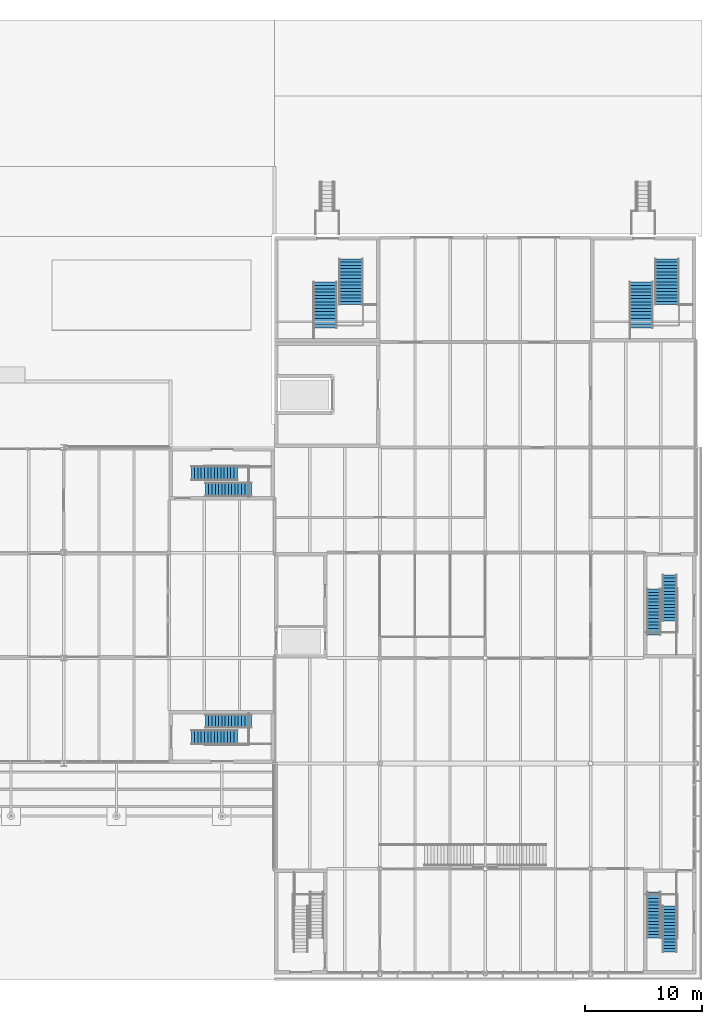
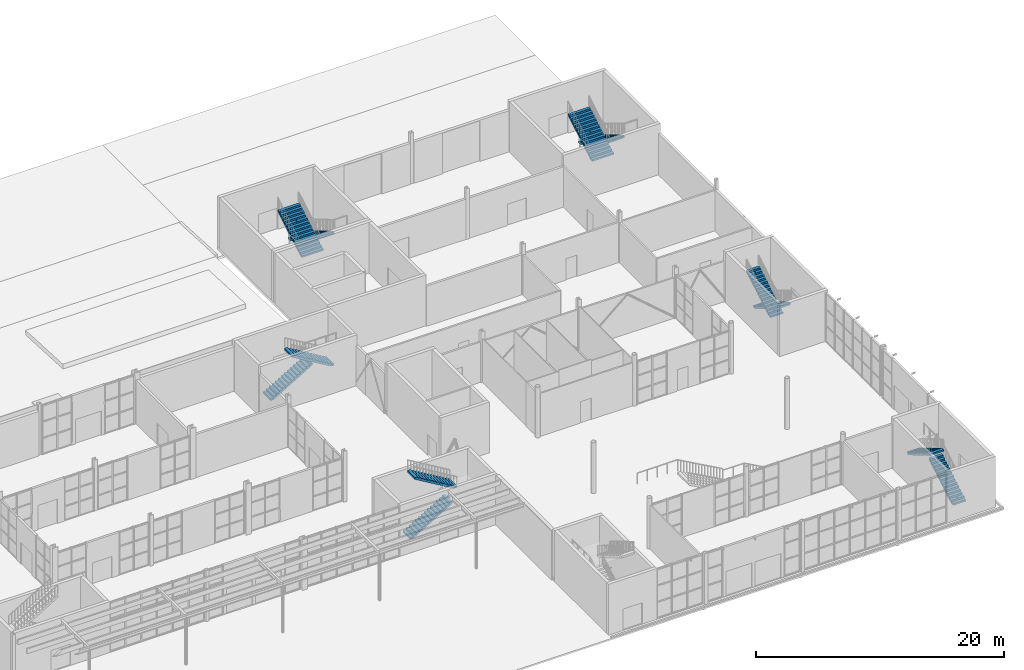
# One storey, part 42 of 63: 12 stair flights, 6 elements without a shape of their own.
"""IFC4 building model written with IfcOpenShell, lengths in metres."""

from ifc_helpers import new_model, si_unit, direction, frame, origin, place, context, subcontext, project, spatial, polyline, outline, extrude, material, type_object, element, aggregate, save


model = new_model("IFC4")

# Units and contexts
model_context = context("Model", 3, precision=1e-05, world=origin(), true_north=direction((0.0, 1.0)))
body_context = subcontext(model_context, "Body", "Model", "MODEL_VIEW")
ifc_project = project(units=[si_unit("LENGTHUNIT", "METRE"), si_unit("AREAUNIT", "SQUARE_METRE"), si_unit("VOLUMEUNIT", "CUBIC_METRE"), si_unit("PLANEANGLEUNIT", "RADIAN"), si_unit("MASSUNIT", "GRAM", prefix="KILO")], contexts=[model_context])

# Site, building, storey
site_placement = place(None, origin())
site = spatial("IfcSite", under=ifc_project, at=site_placement, CompositionType="ELEMENT")
building_placement = place(site_placement, origin())
building = spatial("IfcBuilding", under=site, at=building_placement, Name="Halyard Row Museum", CompositionType="ELEMENT")
storey_placement = place(building_placement, origin())
storey = spatial("IfcBuildingStorey", under=building, at=storey_placement, Name="L00", CompositionType="ELEMENT", Elevation=0.0)

# Stair, stair flights
ifc_material_1 = material(Name="Concrete 40 MPa", Category="concrete")
stair_type_1 = type_object("IfcStairType", Name="Exit stair two flights 1200", PredefinedType="HALF_TURN_STAIR", material=ifc_material_1)
stair_1_placement = place(storey_placement, origin())
stair_1 = element("IfcStair", 1, at=stair_1_placement, inside=storey, type_object=stair_type_1, Name="Exit stair K1B L00", PredefinedType="HALF_TURN_STAIR")
ifc_material_2 = material(Name="Concrete 40 MPa", Category="concrete")
stair_flight_type_1 = type_object("IfcStairFlightType", Name="Exit stair flight 1200", PredefinedType="STRAIGHT", material=ifc_material_2)
stair_flight_1_placement = place(storey_placement, frame((64.89990234375, 42.75, 0.0), z_axis=(0.0, 0.0, 1.0), x_axis=(1.0, 0.0, 0.0)))
stair_flight_1 = element("IfcStairFlight", 2, at=stair_flight_1_placement, type_object=stair_flight_type_1, Name="STK1B-L00 flight 1", NumberOfRisers=15, NumberOfTreads=14, PredefinedType="STRAIGHT", RiserHeight=0.166666667, TreadLength=0.28, context=body_context, shape_type="SweptSolid", body=[
    extrude(outline(polyline([(0.0, 0.0), (0.0, 0.166748046875), (0.280029296875, 0.166748046875), (0.280029296875, 0.333251953125), (0.56005859375, 0.333251953125), (0.56005859375, 0.5), (0.840087890625, 0.5), (0.840087890625, 0.666748046875), (1.1201171875, 0.666748046875), (1.1201171875, 0.833251953125), (1.39990234375, 0.833251953125), (1.39990234375, 1.0), (1.679931640625, 1.0), (1.679931640625, 1.166748046875), (1.9599609375, 1.166748046875), (1.9599609375, 1.333251953125), (2.239990234375, 1.333251953125), (2.239990234375, 1.5), (2.52001953125, 1.5), (2.52001953125, 1.666748046875), (2.800048828125, 1.666748046875), (2.800048828125, 1.833251953125), (3.080078125, 1.833251953125), (3.080078125, 2.0), (3.360107421875, 2.0), (3.360107421875, 2.166748046875), (3.639892578125, 2.166748046875), (3.639892578125, 2.333251953125), (3.919921875, 2.333251953125), (3.919921875, 2.5), (3.919921875, 2.158935546875), (0.29296875, 0.0), (0.0, 0.0)])), frame((0.0, 0.60009765625, 0.0), z_axis=(0.0, -1.0, 0.0), x_axis=(1.0, 0.0, 0.0)), (0.0, 0.0, 1.0), 0.59912109375),
    extrude(outline(polyline([(0.0, 0.0), (0.0, 0.166748046875), (0.280029296875, 0.166748046875), (0.280029296875, 0.333251953125), (0.56005859375, 0.333251953125), (0.56005859375, 0.5), (0.840087890625, 0.5), (0.840087890625, 0.666748046875), (1.1201171875, 0.666748046875), (1.1201171875, 0.833251953125), (1.39990234375, 0.833251953125), (1.39990234375, 1.0), (1.679931640625, 1.0), (1.679931640625, 1.166748046875), (1.9599609375, 1.166748046875), (1.9599609375, 1.333251953125), (2.239990234375, 1.333251953125), (2.239990234375, 1.5), (2.52001953125, 1.5), (2.52001953125, 1.666748046875), (2.800048828125, 1.666748046875), (2.800048828125, 1.833251953125), (3.080078125, 1.833251953125), (3.080078125, 2.0), (3.360107421875, 2.0), (3.360107421875, 2.166748046875), (3.639892578125, 2.166748046875), (3.639892578125, 2.333251953125), (3.919921875, 2.333251953125), (3.919921875, 2.5), (3.919921875, 2.158935546875), (0.29296875, 0.0), (0.0, 0.0)])), frame((0.0, -0.0009765625, 0.0), z_axis=(0.0, -1.0, 0.0), x_axis=(1.0, 0.0, 0.0)), (0.0, 0.0, 1.0), 0.59912109375),
])
stair_flight_2_placement = place(storey_placement, frame((70.02001953125, 41.39990234375, 2.5), z_axis=(0.0, 0.0, 1.0), x_axis=(-1.0, 0.0, 0.0)))
stair_flight_2 = element("IfcStairFlight", 3, at=stair_flight_2_placement, type_object=stair_flight_type_1, Name="STK1B-L00 flight 2", NumberOfRisers=15, NumberOfTreads=14, PredefinedType="STRAIGHT", RiserHeight=0.166666667, TreadLength=0.28, context=body_context, shape_type="SweptSolid", body=[
    extrude(outline(polyline([(0.0, 0.0), (0.0, 0.166748046875), (0.280029296875, 0.166748046875), (0.280029296875, 0.333251953125), (0.56005859375, 0.333251953125), (0.56005859375, 0.5), (0.840087890625, 0.5), (0.840087890625, 0.666748046875), (1.1201171875, 0.666748046875), (1.1201171875, 0.833251953125), (1.39990234375, 0.833251953125), (1.39990234375, 1.0), (1.679931640625, 1.0), (1.679931640625, 1.166748046875), (1.9599609375, 1.166748046875), (1.9599609375, 1.333251953125), (2.239990234375, 1.333251953125), (2.239990234375, 1.5), (2.52001953125, 1.5), (2.52001953125, 1.666748046875), (2.800048828125, 1.666748046875), (2.800048828125, 1.833251953125), (3.080078125, 1.833251953125), (3.080078125, 2.0), (3.360107421875, 2.0), (3.360107421875, 2.166748046875), (3.639892578125, 2.166748046875), (3.639892578125, 2.333251953125), (3.919921875, 2.333251953125), (3.919921875, 2.5), (3.919921875, 2.158935546875), (0.29296875, 0.0), (0.0, 0.0)])), frame((0.0, 0.60009765625, 0.0), z_axis=(0.0, -1.0, 0.0), x_axis=(1.0, 0.0, 0.0)), (0.0, 0.0, 1.0), 0.59912109375),
    extrude(outline(polyline([(0.0, 0.0), (0.0, 0.166748046875), (0.280029296875, 0.166748046875), (0.280029296875, 0.333251953125), (0.56005859375, 0.333251953125), (0.56005859375, 0.5), (0.840087890625, 0.5), (0.840087890625, 0.666748046875), (1.1201171875, 0.666748046875), (1.1201171875, 0.833251953125), (1.39990234375, 0.833251953125), (1.39990234375, 1.0), (1.679931640625, 1.0), (1.679931640625, 1.166748046875), (1.9599609375, 1.166748046875), (1.9599609375, 1.333251953125), (2.239990234375, 1.333251953125), (2.239990234375, 1.5), (2.52001953125, 1.5), (2.52001953125, 1.666748046875), (2.800048828125, 1.666748046875), (2.800048828125, 1.833251953125), (3.080078125, 1.833251953125), (3.080078125, 2.0), (3.360107421875, 2.0), (3.360107421875, 2.166748046875), (3.639892578125, 2.166748046875), (3.639892578125, 2.333251953125), (3.919921875, 2.333251953125), (3.919921875, 2.5), (3.919921875, 2.158935546875), (0.29296875, 0.0), (0.0, 0.0)])), frame((0.0, -0.0009765625, 0.0), z_axis=(0.0, -1.0, 0.0), x_axis=(1.0, 0.0, 0.0)), (0.0, 0.0, 1.0), 0.59912109375),
])
aggregate(stair_1, [stair_flight_1, stair_flight_2])

stair_2_placement = place(storey_placement, origin())
stair_2 = element("IfcStair", 4, at=stair_2_placement, inside=storey, type_object=stair_type_1, Name="Exit stair K1C L00", PredefinedType="HALF_TURN_STAIR")
stair_flight_3_placement = place(storey_placement, frame((64.89990234375, 20.25, 0.0), z_axis=(0.0, 0.0, 1.0), x_axis=(1.0, 0.0, 0.0)))
stair_flight_3 = element("IfcStairFlight", 5, at=stair_flight_3_placement, type_object=stair_flight_type_1, Name="STK1C-L00 flight 1", NumberOfRisers=15, NumberOfTreads=14, PredefinedType="STRAIGHT", RiserHeight=0.166666667, TreadLength=0.28, context=body_context, shape_type="SweptSolid", body=[
    extrude(outline(polyline([(0.0, 0.0), (0.0, 0.166748046875), (0.280029296875, 0.166748046875), (0.280029296875, 0.333251953125), (0.56005859375, 0.333251953125), (0.56005859375, 0.5), (0.840087890625, 0.5), (0.840087890625, 0.666748046875), (1.1201171875, 0.666748046875), (1.1201171875, 0.833251953125), (1.39990234375, 0.833251953125), (1.39990234375, 1.0), (1.679931640625, 1.0), (1.679931640625, 1.166748046875), (1.9599609375, 1.166748046875), (1.9599609375, 1.333251953125), (2.239990234375, 1.333251953125), (2.239990234375, 1.5), (2.52001953125, 1.5), (2.52001953125, 1.666748046875), (2.800048828125, 1.666748046875), (2.800048828125, 1.833251953125), (3.080078125, 1.833251953125), (3.080078125, 2.0), (3.360107421875, 2.0), (3.360107421875, 2.166748046875), (3.639892578125, 2.166748046875), (3.639892578125, 2.333251953125), (3.919921875, 2.333251953125), (3.919921875, 2.5), (3.919921875, 2.158935546875), (0.29296875, 0.0), (0.0, 0.0)])), frame((0.0, 0.60009765625, 0.0), z_axis=(0.0, -1.0, 0.0), x_axis=(1.0, 0.0, 0.0)), (0.0, 0.0, 1.0), 0.59912109375),
    extrude(outline(polyline([(0.0, 0.0), (0.0, 0.166748046875), (0.280029296875, 0.166748046875), (0.280029296875, 0.333251953125), (0.56005859375, 0.333251953125), (0.56005859375, 0.5), (0.840087890625, 0.5), (0.840087890625, 0.666748046875), (1.1201171875, 0.666748046875), (1.1201171875, 0.833251953125), (1.39990234375, 0.833251953125), (1.39990234375, 1.0), (1.679931640625, 1.0), (1.679931640625, 1.166748046875), (1.9599609375, 1.166748046875), (1.9599609375, 1.333251953125), (2.239990234375, 1.333251953125), (2.239990234375, 1.5), (2.52001953125, 1.5), (2.52001953125, 1.666748046875), (2.800048828125, 1.666748046875), (2.800048828125, 1.833251953125), (3.080078125, 1.833251953125), (3.080078125, 2.0), (3.360107421875, 2.0), (3.360107421875, 2.166748046875), (3.639892578125, 2.166748046875), (3.639892578125, 2.333251953125), (3.919921875, 2.333251953125), (3.919921875, 2.5), (3.919921875, 2.158935546875), (0.29296875, 0.0), (0.0, 0.0)])), frame((0.0, -0.0009765625, 0.0), z_axis=(0.0, -1.0, 0.0), x_axis=(1.0, 0.0, 0.0)), (0.0, 0.0, 1.0), 0.59912109375),
])
stair_flight_4_placement = place(storey_placement, frame((70.02001953125, 21.60009765625, 2.5), z_axis=(0.0, 0.0, 1.0), x_axis=(-1.0, 0.0, 0.0)))
stair_flight_4 = element("IfcStairFlight", 6, at=stair_flight_4_placement, type_object=stair_flight_type_1, Name="STK1C-L00 flight 2", NumberOfRisers=15, NumberOfTreads=14, PredefinedType="STRAIGHT", RiserHeight=0.166666667, TreadLength=0.28, context=body_context, shape_type="SweptSolid", body=[
    extrude(outline(polyline([(0.0, 0.0), (0.0, 0.166748046875), (0.280029296875, 0.166748046875), (0.280029296875, 0.333251953125), (0.56005859375, 0.333251953125), (0.56005859375, 0.5), (0.840087890625, 0.5), (0.840087890625, 0.666748046875), (1.1201171875, 0.666748046875), (1.1201171875, 0.833251953125), (1.39990234375, 0.833251953125), (1.39990234375, 1.0), (1.679931640625, 1.0), (1.679931640625, 1.166748046875), (1.9599609375, 1.166748046875), (1.9599609375, 1.333251953125), (2.239990234375, 1.333251953125), (2.239990234375, 1.5), (2.52001953125, 1.5), (2.52001953125, 1.666748046875), (2.800048828125, 1.666748046875), (2.800048828125, 1.833251953125), (3.080078125, 1.833251953125), (3.080078125, 2.0), (3.360107421875, 2.0), (3.360107421875, 2.166748046875), (3.639892578125, 2.166748046875), (3.639892578125, 2.333251953125), (3.919921875, 2.333251953125), (3.919921875, 2.5), (3.919921875, 2.158935546875), (0.29296875, 0.0), (0.0, 0.0)])), frame((0.0, 0.60009765625, 0.0), z_axis=(0.0, -1.0, 0.0), x_axis=(1.0, 0.0, 0.0)), (0.0, 0.0, 1.0), 0.59912109375),
    extrude(outline(polyline([(0.0, 0.0), (0.0, 0.166748046875), (0.280029296875, 0.166748046875), (0.280029296875, 0.333251953125), (0.56005859375, 0.333251953125), (0.56005859375, 0.5), (0.840087890625, 0.5), (0.840087890625, 0.666748046875), (1.1201171875, 0.666748046875), (1.1201171875, 0.833251953125), (1.39990234375, 0.833251953125), (1.39990234375, 1.0), (1.679931640625, 1.0), (1.679931640625, 1.166748046875), (1.9599609375, 1.166748046875), (1.9599609375, 1.333251953125), (2.239990234375, 1.333251953125), (2.239990234375, 1.5), (2.52001953125, 1.5), (2.52001953125, 1.666748046875), (2.800048828125, 1.666748046875), (2.800048828125, 1.833251953125), (3.080078125, 1.833251953125), (3.080078125, 2.0), (3.360107421875, 2.0), (3.360107421875, 2.166748046875), (3.639892578125, 2.166748046875), (3.639892578125, 2.333251953125), (3.919921875, 2.333251953125), (3.919921875, 2.5), (3.919921875, 2.158935546875), (0.29296875, 0.0), (0.0, 0.0)])), frame((0.0, -0.0009765625, 0.0), z_axis=(0.0, -1.0, 0.0), x_axis=(1.0, 0.0, 0.0)), (0.0, 0.0, 1.0), 0.59912109375),
])
aggregate(stair_2, [stair_flight_3, stair_flight_4])

stair_3_placement = place(storey_placement, origin())
stair_3 = element("IfcStair", 7, at=stair_3_placement, inside=storey, type_object=stair_type_1, Name="Exit stair K2B L00", PredefinedType="HALF_TURN_STAIR")
stair_flight_5_placement = place(storey_placement, frame((105.75, 1.89990234375, 0.0), z_axis=(0.0, 0.0, 1.0), x_axis=(0.0, 1.0, 0.0)))
stair_flight_5 = element("IfcStairFlight", 8, at=stair_flight_5_placement, type_object=stair_flight_type_1, Name="STK2B-L00 flight 1", NumberOfRisers=15, NumberOfTreads=14, PredefinedType="STRAIGHT", RiserHeight=0.166666667, TreadLength=0.28, context=body_context, shape_type="SweptSolid", body=[
    extrude(outline(polyline([(0.0, 0.0), (0.0, 0.166748046875), (0.280029296875, 0.166748046875), (0.280029296875, 0.333251953125), (0.56005859375, 0.333251953125), (0.56005859375, 0.5), (0.840087890625, 0.5), (0.840087890625, 0.666748046875), (1.1201171875, 0.666748046875), (1.1201171875, 0.833251953125), (1.39990234375, 0.833251953125), (1.39990234375, 1.0), (1.679931640625, 1.0), (1.679931640625, 1.166748046875), (1.9599609375, 1.166748046875), (1.9599609375, 1.333251953125), (2.239990234375, 1.333251953125), (2.239990234375, 1.5), (2.52001953125, 1.5), (2.52001953125, 1.666748046875), (2.800048828125, 1.666748046875), (2.800048828125, 1.833251953125), (3.080078125, 1.833251953125), (3.080078125, 2.0), (3.360107421875, 2.0), (3.360107421875, 2.166748046875), (3.639892578125, 2.166748046875), (3.639892578125, 2.333251953125), (3.919921875, 2.333251953125), (3.919921875, 2.5), (3.919921875, 2.158935546875), (0.29296875, 0.0), (0.0, 0.0)])), frame((0.0, 0.60009765625, 0.0), z_axis=(0.0, -1.0, 0.0), x_axis=(1.0, 0.0, 0.0)), (0.0, 0.0, 1.0), 0.59912109375),
    extrude(outline(polyline([(0.0, 0.0), (0.0, 0.166748046875), (0.280029296875, 0.166748046875), (0.280029296875, 0.333251953125), (0.56005859375, 0.333251953125), (0.56005859375, 0.5), (0.840087890625, 0.5), (0.840087890625, 0.666748046875), (1.1201171875, 0.666748046875), (1.1201171875, 0.833251953125), (1.39990234375, 0.833251953125), (1.39990234375, 1.0), (1.679931640625, 1.0), (1.679931640625, 1.166748046875), (1.9599609375, 1.166748046875), (1.9599609375, 1.333251953125), (2.239990234375, 1.333251953125), (2.239990234375, 1.5), (2.52001953125, 1.5), (2.52001953125, 1.666748046875), (2.800048828125, 1.666748046875), (2.800048828125, 1.833251953125), (3.080078125, 1.833251953125), (3.080078125, 2.0), (3.360107421875, 2.0), (3.360107421875, 2.166748046875), (3.639892578125, 2.166748046875), (3.639892578125, 2.333251953125), (3.919921875, 2.333251953125), (3.919921875, 2.5), (3.919921875, 2.158935546875), (0.29296875, 0.0), (0.0, 0.0)])), frame((0.0, -0.0009765625, 0.0), z_axis=(0.0, -1.0, 0.0), x_axis=(1.0, 0.0, 0.0)), (0.0, 0.0, 1.0), 0.59912109375),
])
stair_flight_6_placement = place(storey_placement, frame((104.39990234375, 7.02001953125, 2.5), z_axis=(0.0, 0.0, 1.0), x_axis=(0.0, -1.0, 0.0)))
stair_flight_6 = element("IfcStairFlight", 9, at=stair_flight_6_placement, type_object=stair_flight_type_1, Name="STK2B-L00 flight 2", NumberOfRisers=15, NumberOfTreads=14, PredefinedType="STRAIGHT", RiserHeight=0.166666667, TreadLength=0.28, context=body_context, shape_type="SweptSolid", body=[
    extrude(outline(polyline([(0.0, 0.0), (0.0, 0.166748046875), (0.280029296875, 0.166748046875), (0.280029296875, 0.333251953125), (0.56005859375, 0.333251953125), (0.56005859375, 0.5), (0.840087890625, 0.5), (0.840087890625, 0.666748046875), (1.1201171875, 0.666748046875), (1.1201171875, 0.833251953125), (1.39990234375, 0.833251953125), (1.39990234375, 1.0), (1.679931640625, 1.0), (1.679931640625, 1.166748046875), (1.9599609375, 1.166748046875), (1.9599609375, 1.333251953125), (2.239990234375, 1.333251953125), (2.239990234375, 1.5), (2.52001953125, 1.5), (2.52001953125, 1.666748046875), (2.800048828125, 1.666748046875), (2.800048828125, 1.833251953125), (3.080078125, 1.833251953125), (3.080078125, 2.0), (3.360107421875, 2.0), (3.360107421875, 2.166748046875), (3.639892578125, 2.166748046875), (3.639892578125, 2.333251953125), (3.919921875, 2.333251953125), (3.919921875, 2.5), (3.919921875, 2.158935546875), (0.29296875, 0.0), (0.0, 0.0)])), frame((0.0, 0.60009765625, 0.0), z_axis=(0.0, -1.0, 0.0), x_axis=(1.0, 0.0, 0.0)), (0.0, 0.0, 1.0), 0.59912109375),
    extrude(outline(polyline([(0.0, 0.0), (0.0, 0.166748046875), (0.280029296875, 0.166748046875), (0.280029296875, 0.333251953125), (0.56005859375, 0.333251953125), (0.56005859375, 0.5), (0.840087890625, 0.5), (0.840087890625, 0.666748046875), (1.1201171875, 0.666748046875), (1.1201171875, 0.833251953125), (1.39990234375, 0.833251953125), (1.39990234375, 1.0), (1.679931640625, 1.0), (1.679931640625, 1.166748046875), (1.9599609375, 1.166748046875), (1.9599609375, 1.333251953125), (2.239990234375, 1.333251953125), (2.239990234375, 1.5), (2.52001953125, 1.5), (2.52001953125, 1.666748046875), (2.800048828125, 1.666748046875), (2.800048828125, 1.833251953125), (3.080078125, 1.833251953125), (3.080078125, 2.0), (3.360107421875, 2.0), (3.360107421875, 2.166748046875), (3.639892578125, 2.166748046875), (3.639892578125, 2.333251953125), (3.919921875, 2.333251953125), (3.919921875, 2.5), (3.919921875, 2.158935546875), (0.29296875, 0.0), (0.0, 0.0)])), frame((0.0, -0.0009765625, 0.0), z_axis=(0.0, -1.0, 0.0), x_axis=(1.0, 0.0, 0.0)), (0.0, 0.0, 1.0), 0.59912109375),
])
aggregate(stair_3, [stair_flight_5, stair_flight_6])

stair_4_placement = place(storey_placement, origin())
stair_4 = element("IfcStair", 10, at=stair_4_placement, inside=storey, type_object=stair_type_1, Name="Exit stair K2C L00", PredefinedType="HALF_TURN_STAIR")
stair_flight_7_placement = place(storey_placement, frame((105.75, 34.10009765625, 0.0), z_axis=(0.0, 0.0, 1.0), x_axis=(0.0, -1.0, 0.0)))
stair_flight_7 = element("IfcStairFlight", 11, at=stair_flight_7_placement, type_object=stair_flight_type_1, Name="STK2C-L00 flight 1", NumberOfRisers=15, NumberOfTreads=14, PredefinedType="STRAIGHT", RiserHeight=0.166666667, TreadLength=0.28, context=body_context, shape_type="SweptSolid", body=[
    extrude(outline(polyline([(0.0, 0.0), (0.0, 0.166748046875), (0.280029296875, 0.166748046875), (0.280029296875, 0.333251953125), (0.56005859375, 0.333251953125), (0.56005859375, 0.5), (0.840087890625, 0.5), (0.840087890625, 0.666748046875), (1.1201171875, 0.666748046875), (1.1201171875, 0.833251953125), (1.39990234375, 0.833251953125), (1.39990234375, 1.0), (1.679931640625, 1.0), (1.679931640625, 1.166748046875), (1.9599609375, 1.166748046875), (1.9599609375, 1.333251953125), (2.239990234375, 1.333251953125), (2.239990234375, 1.5), (2.52001953125, 1.5), (2.52001953125, 1.666748046875), (2.800048828125, 1.666748046875), (2.800048828125, 1.833251953125), (3.080078125, 1.833251953125), (3.080078125, 2.0), (3.360107421875, 2.0), (3.360107421875, 2.166748046875), (3.639892578125, 2.166748046875), (3.639892578125, 2.333251953125), (3.919921875, 2.333251953125), (3.919921875, 2.5), (3.919921875, 2.158935546875), (0.29296875, 0.0), (0.0, 0.0)])), frame((0.0, 0.60009765625, 0.0), z_axis=(0.0, -1.0, 0.0), x_axis=(1.0, 0.0, 0.0)), (0.0, 0.0, 1.0), 0.59912109375),
    extrude(outline(polyline([(0.0, 0.0), (0.0, 0.166748046875), (0.280029296875, 0.166748046875), (0.280029296875, 0.333251953125), (0.56005859375, 0.333251953125), (0.56005859375, 0.5), (0.840087890625, 0.5), (0.840087890625, 0.666748046875), (1.1201171875, 0.666748046875), (1.1201171875, 0.833251953125), (1.39990234375, 0.833251953125), (1.39990234375, 1.0), (1.679931640625, 1.0), (1.679931640625, 1.166748046875), (1.9599609375, 1.166748046875), (1.9599609375, 1.333251953125), (2.239990234375, 1.333251953125), (2.239990234375, 1.5), (2.52001953125, 1.5), (2.52001953125, 1.666748046875), (2.800048828125, 1.666748046875), (2.800048828125, 1.833251953125), (3.080078125, 1.833251953125), (3.080078125, 2.0), (3.360107421875, 2.0), (3.360107421875, 2.166748046875), (3.639892578125, 2.166748046875), (3.639892578125, 2.333251953125), (3.919921875, 2.333251953125), (3.919921875, 2.5), (3.919921875, 2.158935546875), (0.29296875, 0.0), (0.0, 0.0)])), frame((0.0, -0.0009765625, 0.0), z_axis=(0.0, -1.0, 0.0), x_axis=(1.0, 0.0, 0.0)), (0.0, 0.0, 1.0), 0.59912109375),
])
stair_flight_8_placement = place(storey_placement, frame((104.39990234375, 28.97998046875, 2.5), z_axis=(0.0, 0.0, 1.0), x_axis=(0.0, 1.0, 0.0)))
stair_flight_8 = element("IfcStairFlight", 12, at=stair_flight_8_placement, type_object=stair_flight_type_1, Name="STK2C-L00 flight 2", NumberOfRisers=15, NumberOfTreads=14, PredefinedType="STRAIGHT", RiserHeight=0.166666667, TreadLength=0.28, context=body_context, shape_type="SweptSolid", body=[
    extrude(outline(polyline([(0.0, 0.0), (0.0, 0.166748046875), (0.280029296875, 0.166748046875), (0.280029296875, 0.333251953125), (0.56005859375, 0.333251953125), (0.56005859375, 0.5), (0.840087890625, 0.5), (0.840087890625, 0.666748046875), (1.1201171875, 0.666748046875), (1.1201171875, 0.833251953125), (1.39990234375, 0.833251953125), (1.39990234375, 1.0), (1.679931640625, 1.0), (1.679931640625, 1.166748046875), (1.9599609375, 1.166748046875), (1.9599609375, 1.333251953125), (2.239990234375, 1.333251953125), (2.239990234375, 1.5), (2.52001953125, 1.5), (2.52001953125, 1.666748046875), (2.800048828125, 1.666748046875), (2.800048828125, 1.833251953125), (3.080078125, 1.833251953125), (3.080078125, 2.0), (3.360107421875, 2.0), (3.360107421875, 2.166748046875), (3.639892578125, 2.166748046875), (3.639892578125, 2.333251953125), (3.919921875, 2.333251953125), (3.919921875, 2.5), (3.919921875, 2.158935546875), (0.29296875, 0.0), (0.0, 0.0)])), frame((0.0, 0.60009765625, 0.0), z_axis=(0.0, -1.0, 0.0), x_axis=(1.0, 0.0, 0.0)), (0.0, 0.0, 1.0), 0.59912109375),
    extrude(outline(polyline([(0.0, 0.0), (0.0, 0.166748046875), (0.280029296875, 0.166748046875), (0.280029296875, 0.333251953125), (0.56005859375, 0.333251953125), (0.56005859375, 0.5), (0.840087890625, 0.5), (0.840087890625, 0.666748046875), (1.1201171875, 0.666748046875), (1.1201171875, 0.833251953125), (1.39990234375, 0.833251953125), (1.39990234375, 1.0), (1.679931640625, 1.0), (1.679931640625, 1.166748046875), (1.9599609375, 1.166748046875), (1.9599609375, 1.333251953125), (2.239990234375, 1.333251953125), (2.239990234375, 1.5), (2.52001953125, 1.5), (2.52001953125, 1.666748046875), (2.800048828125, 1.666748046875), (2.800048828125, 1.833251953125), (3.080078125, 1.833251953125), (3.080078125, 2.0), (3.360107421875, 2.0), (3.360107421875, 2.166748046875), (3.639892578125, 2.166748046875), (3.639892578125, 2.333251953125), (3.919921875, 2.333251953125), (3.919921875, 2.5), (3.919921875, 2.158935546875), (0.29296875, 0.0), (0.0, 0.0)])), frame((0.0, -0.0009765625, 0.0), z_axis=(0.0, -1.0, 0.0), x_axis=(1.0, 0.0, 0.0)), (0.0, 0.0, 1.0), 0.59912109375),
])
aggregate(stair_4, [stair_flight_7, stair_flight_8])

ifc_material_3 = material(Name="Concrete 40 MPa", Category="concrete")
stair_type_2 = type_object("IfcStairType", Name="Exit stair two flights 2000", PredefinedType="HALF_TURN_STAIR", material=ifc_material_3)
stair_5_placement = place(storey_placement, origin())
stair_5 = element("IfcStair", 13, at=stair_5_placement, inside=storey, type_object=stair_type_2, Name="Exit stair K5A L00", PredefinedType="HALF_TURN_STAIR")
ifc_material_4 = material(Name="Concrete 40 MPa", Category="concrete")
stair_flight_type_2 = type_object("IfcStairFlightType", Name="Exit stair flight 2000", PredefinedType="STRAIGHT", material=ifc_material_4)
stair_flight_9_placement = place(storey_placement, frame((78.5, 61.10009765625, 0.0), z_axis=(0.0, 0.0, 1.0), x_axis=(0.0, -1.0, 0.0)))
stair_flight_9 = element("IfcStairFlight", 14, at=stair_flight_9_placement, type_object=stair_flight_type_2, Name="STK5A-L00 flight 1", NumberOfRisers=15, NumberOfTreads=14, PredefinedType="STRAIGHT", RiserHeight=0.166666667, TreadLength=0.28, context=body_context, shape_type="SweptSolid", body=[
    extrude(outline(polyline([(0.0, 0.0), (0.0, 0.166748046875), (0.280029296875, 0.166748046875), (0.280029296875, 0.333251953125), (0.56005859375, 0.333251953125), (0.56005859375, 0.5), (0.840087890625, 0.5), (0.840087890625, 0.666748046875), (1.1201171875, 0.666748046875), (1.1201171875, 0.833251953125), (1.39990234375, 0.833251953125), (1.39990234375, 1.0), (1.679931640625, 1.0), (1.679931640625, 1.166748046875), (1.9599609375, 1.166748046875), (1.9599609375, 1.333251953125), (2.239990234375, 1.333251953125), (2.239990234375, 1.5), (2.52001953125, 1.5), (2.52001953125, 1.666748046875), (2.800048828125, 1.666748046875), (2.800048828125, 1.833251953125), (3.080078125, 1.833251953125), (3.080078125, 2.0), (3.360107421875, 2.0), (3.360107421875, 2.166748046875), (3.639892578125, 2.166748046875), (3.639892578125, 2.333251953125), (3.919921875, 2.333251953125), (3.919921875, 2.5), (3.919921875, 2.158935546875), (0.29296875, 0.0), (0.0, 0.0)])), frame((0.0, 1.0, 0.0), z_axis=(0.0, -1.0, 0.0), x_axis=(1.0, 0.0, 0.0)), (0.0, 0.0, 1.0), 0.9990234375),
    extrude(outline(polyline([(0.0, 0.0), (0.0, 0.166748046875), (0.280029296875, 0.166748046875), (0.280029296875, 0.333251953125), (0.56005859375, 0.333251953125), (0.56005859375, 0.5), (0.840087890625, 0.5), (0.840087890625, 0.666748046875), (1.1201171875, 0.666748046875), (1.1201171875, 0.833251953125), (1.39990234375, 0.833251953125), (1.39990234375, 1.0), (1.679931640625, 1.0), (1.679931640625, 1.166748046875), (1.9599609375, 1.166748046875), (1.9599609375, 1.333251953125), (2.239990234375, 1.333251953125), (2.239990234375, 1.5), (2.52001953125, 1.5), (2.52001953125, 1.666748046875), (2.800048828125, 1.666748046875), (2.800048828125, 1.833251953125), (3.080078125, 1.833251953125), (3.080078125, 2.0), (3.360107421875, 2.0), (3.360107421875, 2.166748046875), (3.639892578125, 2.166748046875), (3.639892578125, 2.333251953125), (3.919921875, 2.333251953125), (3.919921875, 2.5), (3.919921875, 2.158935546875), (0.29296875, 0.0), (0.0, 0.0)])), frame((0.0, -0.0009765625, 0.0), z_axis=(0.0, -1.0, 0.0), x_axis=(1.0, 0.0, 0.0)), (0.0, 0.0, 1.0), 0.9990234375),
])
stair_flight_10_placement = place(storey_placement, frame((76.35009765625, 55.179931640625, 2.5), z_axis=(0.0, 0.0, 1.0), x_axis=(0.0, 1.0, 0.0)))
stair_flight_10 = element("IfcStairFlight", 15, at=stair_flight_10_placement, type_object=stair_flight_type_2, Name="STK5A-L00 flight 2", NumberOfRisers=15, NumberOfTreads=14, PredefinedType="STRAIGHT", RiserHeight=0.166666667, TreadLength=0.28, context=body_context, shape_type="SweptSolid", body=[
    extrude(outline(polyline([(0.0, 0.0), (0.0, 0.166748046875), (0.280029296875, 0.166748046875), (0.280029296875, 0.333251953125), (0.56005859375, 0.333251953125), (0.56005859375, 0.5), (0.840087890625, 0.5), (0.840087890625, 0.666748046875), (1.1201171875, 0.666748046875), (1.1201171875, 0.833251953125), (1.39990234375, 0.833251953125), (1.39990234375, 1.0), (1.679931640625, 1.0), (1.679931640625, 1.166748046875), (1.9599609375, 1.166748046875), (1.9599609375, 1.333251953125), (2.239990234375, 1.333251953125), (2.239990234375, 1.5), (2.52001953125, 1.5), (2.52001953125, 1.666748046875), (2.800048828125, 1.666748046875), (2.800048828125, 1.833251953125), (3.080078125, 1.833251953125), (3.080078125, 2.0), (3.360107421875, 2.0), (3.360107421875, 2.166748046875), (3.639892578125, 2.166748046875), (3.639892578125, 2.333251953125), (3.919921875, 2.333251953125), (3.919921875, 2.5), (3.919921875, 2.158935546875), (0.29296875, 0.0), (0.0, 0.0)])), frame((0.0, 1.0, 0.0), z_axis=(0.0, -1.0, 0.0), x_axis=(1.0, 0.0, 0.0)), (0.0, 0.0, 1.0), 0.9990234375),
    extrude(outline(polyline([(0.0, 0.0), (0.0, 0.166748046875), (0.280029296875, 0.166748046875), (0.280029296875, 0.333251953125), (0.56005859375, 0.333251953125), (0.56005859375, 0.5), (0.840087890625, 0.5), (0.840087890625, 0.666748046875), (1.1201171875, 0.666748046875), (1.1201171875, 0.833251953125), (1.39990234375, 0.833251953125), (1.39990234375, 1.0), (1.679931640625, 1.0), (1.679931640625, 1.166748046875), (1.9599609375, 1.166748046875), (1.9599609375, 1.333251953125), (2.239990234375, 1.333251953125), (2.239990234375, 1.5), (2.52001953125, 1.5), (2.52001953125, 1.666748046875), (2.800048828125, 1.666748046875), (2.800048828125, 1.833251953125), (3.080078125, 1.833251953125), (3.080078125, 2.0), (3.360107421875, 2.0), (3.360107421875, 2.166748046875), (3.639892578125, 2.166748046875), (3.639892578125, 2.333251953125), (3.919921875, 2.333251953125), (3.919921875, 2.5), (3.919921875, 2.158935546875), (0.29296875, 0.0), (0.0, 0.0)])), frame((0.0, -0.0009765625, 0.0), z_axis=(0.0, -1.0, 0.0), x_axis=(1.0, 0.0, 0.0)), (0.0, 0.0, 1.0), 0.9990234375),
])
aggregate(stair_5, [stair_flight_9, stair_flight_10])

stair_6_placement = place(storey_placement, origin())
stair_6 = element("IfcStair", 16, at=stair_6_placement, inside=storey, type_object=stair_type_2, Name="Exit stair K5B L00", PredefinedType="HALF_TURN_STAIR")
stair_flight_11_placement = place(storey_placement, frame((105.5, 61.10009765625, 0.0), z_axis=(0.0, 0.0, 1.0), x_axis=(0.0, -1.0, 0.0)))
stair_flight_11 = element("IfcStairFlight", 17, at=stair_flight_11_placement, type_object=stair_flight_type_2, Name="STK5B-L00 flight 1", NumberOfRisers=15, NumberOfTreads=14, PredefinedType="STRAIGHT", RiserHeight=0.166666667, TreadLength=0.28, context=body_context, shape_type="SweptSolid", body=[
    extrude(outline(polyline([(0.0, 0.0), (0.0, 0.166748046875), (0.280029296875, 0.166748046875), (0.280029296875, 0.333251953125), (0.56005859375, 0.333251953125), (0.56005859375, 0.5), (0.840087890625, 0.5), (0.840087890625, 0.666748046875), (1.1201171875, 0.666748046875), (1.1201171875, 0.833251953125), (1.39990234375, 0.833251953125), (1.39990234375, 1.0), (1.679931640625, 1.0), (1.679931640625, 1.166748046875), (1.9599609375, 1.166748046875), (1.9599609375, 1.333251953125), (2.239990234375, 1.333251953125), (2.239990234375, 1.5), (2.52001953125, 1.5), (2.52001953125, 1.666748046875), (2.800048828125, 1.666748046875), (2.800048828125, 1.833251953125), (3.080078125, 1.833251953125), (3.080078125, 2.0), (3.360107421875, 2.0), (3.360107421875, 2.166748046875), (3.639892578125, 2.166748046875), (3.639892578125, 2.333251953125), (3.919921875, 2.333251953125), (3.919921875, 2.5), (3.919921875, 2.158935546875), (0.29296875, 0.0), (0.0, 0.0)])), frame((0.0, 1.0, 0.0), z_axis=(0.0, -1.0, 0.0), x_axis=(1.0, 0.0, 0.0)), (0.0, 0.0, 1.0), 0.9990234375),
    extrude(outline(polyline([(0.0, 0.0), (0.0, 0.166748046875), (0.280029296875, 0.166748046875), (0.280029296875, 0.333251953125), (0.56005859375, 0.333251953125), (0.56005859375, 0.5), (0.840087890625, 0.5), (0.840087890625, 0.666748046875), (1.1201171875, 0.666748046875), (1.1201171875, 0.833251953125), (1.39990234375, 0.833251953125), (1.39990234375, 1.0), (1.679931640625, 1.0), (1.679931640625, 1.166748046875), (1.9599609375, 1.166748046875), (1.9599609375, 1.333251953125), (2.239990234375, 1.333251953125), (2.239990234375, 1.5), (2.52001953125, 1.5), (2.52001953125, 1.666748046875), (2.800048828125, 1.666748046875), (2.800048828125, 1.833251953125), (3.080078125, 1.833251953125), (3.080078125, 2.0), (3.360107421875, 2.0), (3.360107421875, 2.166748046875), (3.639892578125, 2.166748046875), (3.639892578125, 2.333251953125), (3.919921875, 2.333251953125), (3.919921875, 2.5), (3.919921875, 2.158935546875), (0.29296875, 0.0), (0.0, 0.0)])), frame((0.0, -0.0009765625, 0.0), z_axis=(0.0, -1.0, 0.0), x_axis=(1.0, 0.0, 0.0)), (0.0, 0.0, 1.0), 0.9990234375),
])
stair_flight_12_placement = place(storey_placement, frame((103.35009765625, 55.179931640625, 2.5), z_axis=(0.0, 0.0, 1.0), x_axis=(0.0, 1.0, 0.0)))
stair_flight_12 = element("IfcStairFlight", 18, at=stair_flight_12_placement, type_object=stair_flight_type_2, Name="STK5B-L00 flight 2", NumberOfRisers=15, NumberOfTreads=14, PredefinedType="STRAIGHT", RiserHeight=0.166666667, TreadLength=0.28, context=body_context, shape_type="SweptSolid", body=[
    extrude(outline(polyline([(0.0, 0.0), (0.0, 0.166748046875), (0.280029296875, 0.166748046875), (0.280029296875, 0.333251953125), (0.56005859375, 0.333251953125), (0.56005859375, 0.5), (0.840087890625, 0.5), (0.840087890625, 0.666748046875), (1.1201171875, 0.666748046875), (1.1201171875, 0.833251953125), (1.39990234375, 0.833251953125), (1.39990234375, 1.0), (1.679931640625, 1.0), (1.679931640625, 1.166748046875), (1.9599609375, 1.166748046875), (1.9599609375, 1.333251953125), (2.239990234375, 1.333251953125), (2.239990234375, 1.5), (2.52001953125, 1.5), (2.52001953125, 1.666748046875), (2.800048828125, 1.666748046875), (2.800048828125, 1.833251953125), (3.080078125, 1.833251953125), (3.080078125, 2.0), (3.360107421875, 2.0), (3.360107421875, 2.166748046875), (3.639892578125, 2.166748046875), (3.639892578125, 2.333251953125), (3.919921875, 2.333251953125), (3.919921875, 2.5), (3.919921875, 2.158935546875), (0.29296875, 0.0), (0.0, 0.0)])), frame((0.0, 1.0, 0.0), z_axis=(0.0, -1.0, 0.0), x_axis=(1.0, 0.0, 0.0)), (0.0, 0.0, 1.0), 0.9990234375),
    extrude(outline(polyline([(0.0, 0.0), (0.0, 0.166748046875), (0.280029296875, 0.166748046875), (0.280029296875, 0.333251953125), (0.56005859375, 0.333251953125), (0.56005859375, 0.5), (0.840087890625, 0.5), (0.840087890625, 0.666748046875), (1.1201171875, 0.666748046875), (1.1201171875, 0.833251953125), (1.39990234375, 0.833251953125), (1.39990234375, 1.0), (1.679931640625, 1.0), (1.679931640625, 1.166748046875), (1.9599609375, 1.166748046875), (1.9599609375, 1.333251953125), (2.239990234375, 1.333251953125), (2.239990234375, 1.5), (2.52001953125, 1.5), (2.52001953125, 1.666748046875), (2.800048828125, 1.666748046875), (2.800048828125, 1.833251953125), (3.080078125, 1.833251953125), (3.080078125, 2.0), (3.360107421875, 2.0), (3.360107421875, 2.166748046875), (3.639892578125, 2.166748046875), (3.639892578125, 2.333251953125), (3.919921875, 2.333251953125), (3.919921875, 2.5), (3.919921875, 2.158935546875), (0.29296875, 0.0), (0.0, 0.0)])), frame((0.0, -0.0009765625, 0.0), z_axis=(0.0, -1.0, 0.0), x_axis=(1.0, 0.0, 0.0)), (0.0, 0.0, 1.0), 0.9990234375),
])
aggregate(stair_6, [stair_flight_11, stair_flight_12])

save(model, "model.ifc")
